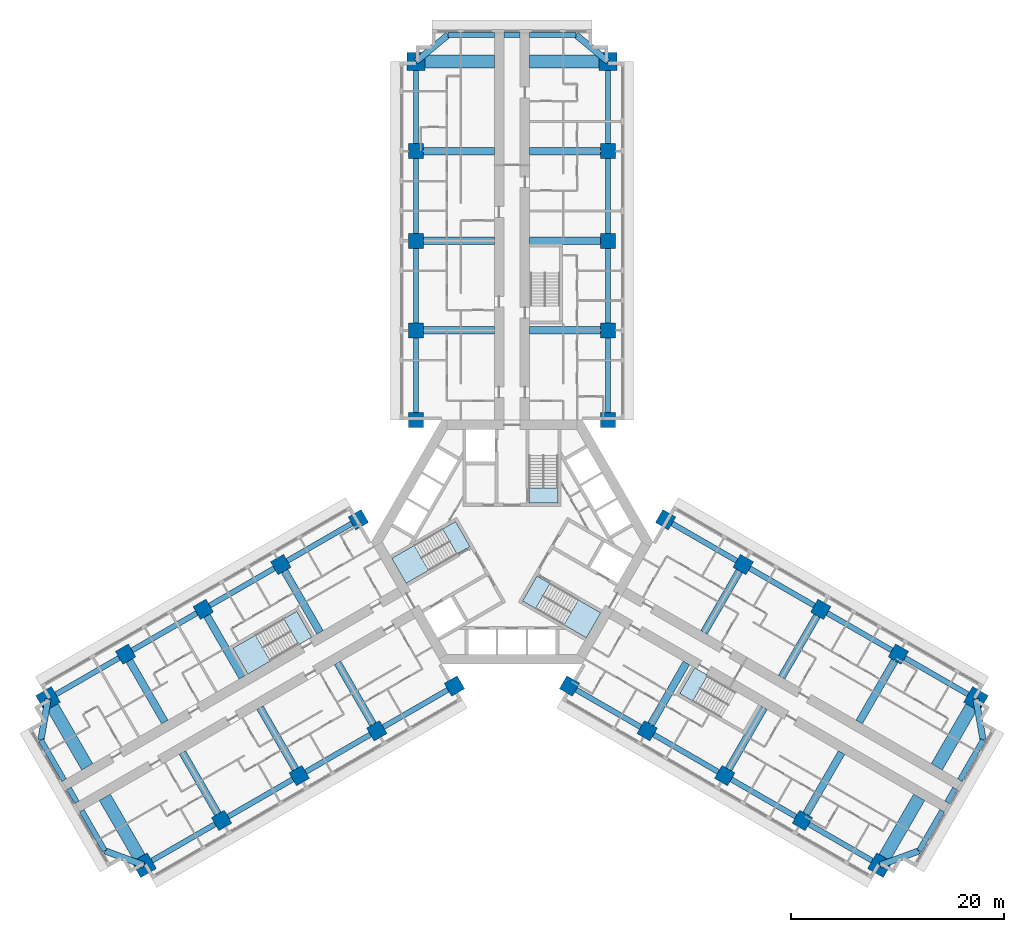
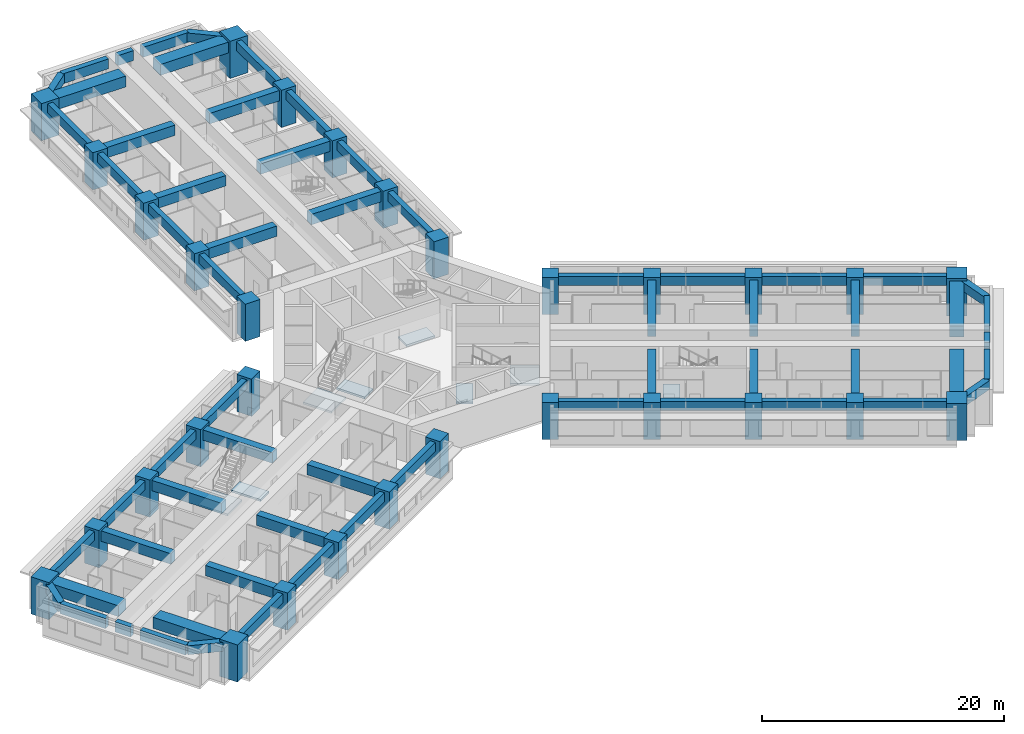
# One storey, part 1 of 15: 63 beams, 30 columns, 8 slabs, 5 elements without a shape of their own.
"""IFC4 building model written with IfcOpenShell, lengths in metres."""

import ifcopenshell
import ifcopenshell.guid

model = None  # the IFC model being written
_history = None  # IfcOwnerHistory: only IFC2X3 demands one
_inside = {}  # id of a spatial element -> (the spatial element, [elements in it])
_under = {}  # id of a project, library or spatial element -> (it, [spatial elements below it])
_declared = {}  # id of a project -> (the project, [libraries it declares])
_typed = {}  # id of a type object -> (the type object, [elements of that type])
_made_of = {}  # id of a material, layer set ... -> (it, [elements and type objects made of it])


def new_model(schema):
    """Start an empty IFC model of exactly this schema.

    Asked for "IFC4X3", IfcOpenShell would pick the latest addendum, in which some entities
    have other attributes; the version numbers below select the first issue.
    IFC2X3 requires an IfcOwnerHistory on every rooted entity: one is made here for all.
    """
    global model, _history
    if schema == "IFC4X3":
        model = ifcopenshell.file(schema_version=(4, 3, 0, 0))
    else:
        model = ifcopenshell.file(schema=schema)
    _inside.clear()
    _under.clear()
    _declared.clear()
    _typed.clear()
    _made_of.clear()
    _history = None
    if model.schema == "IFC2X3":
        org = make("IfcOrganization", Name="unknown")
        user = make(
            "IfcPersonAndOrganization",
            ThePerson=make("IfcPerson", FamilyName="unknown"),
            TheOrganization=org,
        )
        app = make(
            "IfcApplication",
            ApplicationDeveloper=org,
            Version="unknown",
            ApplicationFullName="unknown",
            ApplicationIdentifier="unknown",
        )
        _history = make(
            "IfcOwnerHistory",
            OwningUser=user,
            OwningApplication=app,
            ChangeAction="ADDED",
            CreationDate=0,
        )
    return model


def make(cls, **values):
    """One entity of the class cls with the attributes given. An attribute that is None is left unset."""
    return model.create_entity(
        cls, **{name: value for name, value in values.items() if value is not None}
    )


def rooted(cls, **values):
    """An entity with a GlobalId (a new one), such as an element, a storey or a relation."""
    return make(cls, GlobalId=ifcopenshell.guid.new(), OwnerHistory=_history, **values)


def si_unit(unit_type, name, prefix=None):
    """IfcSIUnit, for example si_unit("LENGTHUNIT", "METRE", prefix="MILLI")."""
    return make("IfcSIUnit", UnitType=unit_type, Prefix=prefix, Name=name)


def assignment(units):
    """IfcUnitAssignment: the units of a project."""
    return None if units is None else make("IfcUnitAssignment", Units=units)


def point(xyz):
    """IfcCartesianPoint."""
    return None if xyz is None else make("IfcCartesianPoint", Coordinates=xyz)


def direction(xyz):
    """IfcDirection."""
    return None if xyz is None else make("IfcDirection", DirectionRatios=xyz)


def frame(location, z_axis=None, x_axis=None):
    """IfcAxis2Placement3D, a coordinate frame: its origin and axes. An axis left out is left unset."""
    return make(
        "IfcAxis2Placement3D",
        Location=point(location),
        Axis=direction(z_axis),
        RefDirection=direction(x_axis),
    )


def frame_2d(location, x_axis=None):
    """IfcAxis2Placement2D, a coordinate frame in the plane: its origin and x axis."""
    return make(
        "IfcAxis2Placement2D", Location=point(location), RefDirection=direction(x_axis)
    )


def origin():
    """The frame at (0, 0, 0) with its axes left unset."""
    return frame((0.0, 0.0, 0.0))


def origin_2d():
    """The frame at (0, 0) in the plane with its x axis left unset."""
    return frame_2d((0.0, 0.0))


def place(relative_to, where):
    """IfcLocalPlacement: puts the frame where relative to a parent placement (None: the world)."""
    return make(
        "IfcLocalPlacement", PlacementRelTo=relative_to, RelativePlacement=where
    )


def context(
    kind, dimensions, precision=None, world=None, true_north=None, identifier=None
):
    """IfcGeometricRepresentationContext, for example the 3D "Model" context."""
    return make(
        "IfcGeometricRepresentationContext",
        ContextIdentifier=identifier,
        ContextType=kind,
        CoordinateSpaceDimension=dimensions,
        Precision=precision,
        WorldCoordinateSystem=world,
        TrueNorth=true_north,
    )


def subcontext(parent, identifier, kind, view, scale=None):
    """IfcGeometricRepresentationSubContext, for example "Body" below "Model"."""
    return make(
        "IfcGeometricRepresentationSubContext",
        ContextIdentifier=identifier,
        ContextType=kind,
        ParentContext=parent,
        TargetScale=scale,
        TargetView=view,
    )


def project(units=None, contexts=None):
    """IfcProject with its units and contexts."""
    return rooted(
        "IfcProject",
        Name="project",
        RepresentationContexts=contexts,
        UnitsInContext=assignment(units),
    )


def spatial(cls, under=None, at=None, **own):
    """A site, building, storey or space (cls), placed at a placement, below another one or the project."""
    s = rooted(cls, ObjectPlacement=at, **own)
    if under is not None:
        _under.setdefault(under.id(), (under, []))[1].append(s)
    return s


def polyline(points):
    """IfcPolyline through the points."""
    return make("IfcPolyline", Points=[point(p) for p in points])


def profile(cls, at=None, kind="AREA", **sizes):
    """A parametric profile (cls). Its sizes go by their IFC names, for example OverallWidth=200.0."""
    return make(cls, ProfileType=kind, Position=at, **sizes)


def rectangle(**sizes):
    """IfcRectangleProfileDef."""
    return profile("IfcRectangleProfileDef", **sizes)


def outline(outer, holes=None, kind="AREA"):
    """IfcArbitraryClosedProfileDef: a profile drawn as a closed curve; with holes, ...WithVoids."""
    if holes is None:
        return make("IfcArbitraryClosedProfileDef", ProfileType=kind, OuterCurve=outer)
    return make(
        "IfcArbitraryProfileDefWithVoids",
        ProfileType=kind,
        OuterCurve=outer,
        InnerCurves=holes,
    )


def extrude(swept, where, along, depth):
    """IfcExtrudedAreaSolid: the profile swept, set in the frame where, extruded along a direction by depth."""
    return make(
        "IfcExtrudedAreaSolid",
        SweptArea=swept,
        Position=where,
        ExtrudedDirection=direction(along),
        Depth=depth,
    )


def shape(context_of_items, identifier, shape_type, items):
    """IfcShapeRepresentation: the items that make up one representation, for example the "Body"."""
    return make(
        "IfcShapeRepresentation",
        ContextOfItems=context_of_items,
        RepresentationIdentifier=identifier,
        RepresentationType=shape_type,
        Items=items,
    )


def material(Name=None, Category=None):
    """IfcMaterial."""
    return make("IfcMaterial", Name=Name, Category=Category)


def layer(
    of_material, thickness, ventilated=None, Name=None, Category=None, Priority=None
):
    """IfcMaterialLayer: one layer of a wall or slab, of a material (None: an air gap)."""
    return make(
        "IfcMaterialLayer",
        Material=of_material,
        LayerThickness=thickness,
        IsVentilated=ventilated,
        Name=Name,
        Category=Category,
        Priority=Priority,
    )


def layer_set(layers, Name=None):
    """IfcMaterialLayerSet."""
    return make("IfcMaterialLayerSet", MaterialLayers=layers, LayerSetName=Name)


def material_profile(
    of_material, cross_section, Name=None, Category=None, Priority=None
):
    """IfcMaterialProfile: a cross section and its material."""
    return make(
        "IfcMaterialProfile",
        Name=Name,
        Material=of_material,
        Profile=cross_section,
        Priority=Priority,
        Category=Category,
    )


def profile_set(profiles, Name=None, composite=None):
    """IfcMaterialProfileSet."""
    return make(
        "IfcMaterialProfileSet",
        Name=Name,
        MaterialProfiles=profiles,
        CompositeProfile=composite,
    )


def made_of(thing, what):
    """Note that an element or type object is made of a material, layer set ...; save() writes the relation."""
    if what is not None:
        _made_of.setdefault(what.id(), (what, []))[1].append(thing)
    return thing


def type_object(cls, material=None, **own):
    """A type object (cls), such as IfcWallType, which elements share."""
    return made_of(rooted(cls, **own), material)


def element(
    cls,
    number,
    at=None,
    inside=None,
    cuts=None,
    type_object=None,
    material=None,
    context=None,
    identifier="Body",
    shape_type=None,
    held_by="IfcProductDefinitionShape",
    body=None,
    shapes=None,
    **own,
):
    """One element of the class cls, such as IfcWall. Its Tag is "e" and its number.

    at: its placement. inside: the storey or other place that contains it. cuts: it is an
    opening in that element (IfcRelVoidsElement). A single representation is given by context,
    identifier, shape_type and body (its items); several are given by shapes. held_by: the class
    of the entity that holds the representations. save() writes the other relations.
    """
    e = rooted(cls, Tag="e%d" % number, ObjectPlacement=at, **own)
    if body is not None:
        shapes = [shape(context, identifier, shape_type, body)]
    if shapes is not None:
        e.Representation = make(held_by, Representations=shapes)
    if inside is not None:
        _inside.setdefault(inside.id(), (inside, []))[1].append(e)
    if cuts is not None:
        rooted(
            "IfcRelVoidsElement", RelatingBuildingElement=cuts, RelatedOpeningElement=e
        )
    if type_object is not None:
        _typed.setdefault(type_object.id(), (type_object, []))[1].append(e)
    return made_of(e, material)


def aggregate(whole, parts):
    """IfcRelAggregates: a whole, such as a stair, and the parts it consists of."""
    return rooted("IfcRelAggregates", RelatingObject=whole, RelatedObjects=parts)


def save(model, path):
    """Write the relations noted so far, then the file.

    IfcRelAggregates (storeys below a building ...), IfcRelContainedInSpatialStructure (elements
    in a storey), IfcRelDefinesByType, IfcRelAssociatesMaterial and IfcRelDeclares: one each for
    every whole, place, type object, material and project.
    """
    for whole, parts in _under.values():
        aggregate(whole, parts)
    for where, things in _inside.values():
        rooted(
            "IfcRelContainedInSpatialStructure",
            RelatedElements=things,
            RelatingStructure=where,
        )
    for kind, things in _typed.values():
        rooted("IfcRelDefinesByType", RelatedObjects=things, RelatingType=kind)
    for what, things in _made_of.values():
        rooted("IfcRelAssociatesMaterial", RelatedObjects=things, RelatingMaterial=what)
    for by, libraries in _declared.values():
        rooted("IfcRelDeclares", RelatingContext=by, RelatedDefinitions=libraries)
    model.write(path)


model = new_model("IFC4")

# Units and contexts
model_context = context("Model", 3, precision=1e-05, world=origin(), true_north=direction((0.0, 1.0)))
body_context = subcontext(model_context, "Body", "Model", "MODEL_VIEW")
ifc_project = project(units=[si_unit("LENGTHUNIT", "METRE"), si_unit("AREAUNIT", "SQUARE_METRE"), si_unit("VOLUMEUNIT", "CUBIC_METRE"), si_unit("PLANEANGLEUNIT", "RADIAN"), si_unit("MASSUNIT", "GRAM", prefix="KILO")], contexts=[model_context])

# Site, building, storey
site_placement = place(None, origin())
site = spatial("IfcSite", under=ifc_project, at=site_placement, CompositionType="ELEMENT")
building_placement = place(site_placement, origin())
building = spatial("IfcBuilding", under=site, at=building_placement, Name="Impinga Residences", CompositionType="ELEMENT")
storey_placement = place(building_placement, frame((0.0, 0.0, 86.0)))
storey = spatial("IfcBuildingStorey", under=building, at=storey_placement, Name="L21", CompositionType="ELEMENT", Elevation=86.0)

# Columns
ifc_material_1 = material(Name="Concrete C70/85", Category="concrete")
ifc_material_profile_1 = material_profile(ifc_material_1, rectangle(XDim=1.699951171875, YDim=1.699951171875, at=origin_2d()), Name="RC 1700x1700")
ifc_profile_set_1 = profile_set([ifc_material_profile_1], Name="Concrete C70/85")
column_type_1 = type_object("IfcColumnType", Name="C10 1700x1700 column", PredefinedType="COLUMN", material=ifc_profile_set_1)
for number, where, z_axis, x_axis, name in (
    (1, (-9.0, 45.031494140625, 0.0), (0.0, 0.0, 1.0), (1.0, 0.0, 0.0), "Column C10 N5/NA L21"),
    (2, (9.0, 45.031494140625, 0.0), (0.0, 0.0, 1.0), (1.0, 0.0, 0.0), "Column C10 N5/NF L21"),
    (3, (-34.49853515625, -30.31005859375, 0.0), (0.0, 0.0, 1.0), (-0.5, 0.866025403784, 0.0), "Column C10 W5/WA L21"),
    (4, (-43.49853515625, -14.721435546875, 0.0), (0.0, 0.0, 1.0), (-0.5, 0.866025403784, 0.0), "Column C10 W5/WF L21"),
    (5, (43.49853515625, -14.721435546875, 0.0), (0.0, 0.0, 1.0), (-0.5, -0.866025403784, 0.0), "Column C10 E5/EA L21"),
    (6, (34.49853515625, -30.31005859375, 0.0), (0.0, 0.0, 1.0), (-0.5, -0.866025403784, 0.0), "Column C10 E5/EF L21"),
):
    element("IfcColumn", number, at=place(storey_placement, frame(where, z_axis=z_axis, x_axis=x_axis)), inside=storey, type_object=column_type_1, Name=name, PredefinedType="COLUMN", context=body_context, shape_type="SweptSolid", body=[
        extrude(rectangle(XDim=1.699951171875, YDim=1.699951171875, at=origin_2d()), origin(), (0.0, 0.0, 1.0), 3.75),
    ])
ifc_material_profile_2 = material_profile(ifc_material_1, rectangle(XDim=1.39990234375, YDim=1.39990234375, at=origin_2d()), Name="RC 1400x1400")
ifc_profile_set_2 = profile_set([ifc_material_profile_2], Name="Concrete C70/85")
column_type_2 = type_object("IfcColumnType", Name="C2 1400x1400 column", PredefinedType="COLUMN", material=ifc_profile_set_2)
for number, where, z_axis, x_axis, name in (
    (7, (-9.0, 11.431640625, 0.0), (0.0, 0.0, 1.0), (1.0, 0.0, 0.0), "Column C2 N1/NA L21"),
    (8, (9.0, 11.431640625, 0.0), (0.0, 0.0, 1.0), (1.0, 0.0, 0.0), "Column C2 N1/NF L21"),
    (9, (-9.0, 19.83154296875, 0.0), (0.0, 0.0, 1.0), (1.0, 0.0, 0.0), "Column C2 N2/NA L21"),
    (10, (9.0, 19.83154296875, 0.0), (0.0, 0.0, 1.0), (1.0, 0.0, 0.0), "Column C2 N2/NF L21"),
    (11, (-9.0, 28.2314453125, 0.0), (0.0, 0.0, 1.0), (1.0, 0.0, 0.0), "Column C2 N3/NA L21"),
    (12, (9.0, 28.2314453125, 0.0), (0.0, 0.0, 1.0), (1.0, 0.0, 0.0), "Column C2 N3/NF L21"),
    (13, (-9.0, 36.631591796875, 0.0), (0.0, 0.0, 1.0), (1.0, 0.0, 0.0), "Column C2 N4/NA L21"),
    (14, (9.0, 36.631591796875, 0.0), (0.0, 0.0, 1.0), (1.0, 0.0, 0.0), "Column C2 N4/NF L21"),
    (15, (-5.39990234375, -13.510009765625, 0.0), (0.0, 0.0, 1.0), (-0.5, 0.866025403784, 0.0), "Column C2 W1/WA L21"),
    (16, (-14.39990234375, 2.078369140625, 0.0), (0.0, 0.0, 1.0), (-0.5, 0.866025403784, 0.0), "Column C2 W1/WF L21"),
    (17, (-12.674560546875, -17.7099609375, 0.0), (0.0, 0.0, 1.0), (-0.5, 0.866025403784, 0.0), "Column C2 W2/WA L21"),
    (18, (-21.674560546875, -2.12158203125, 0.0), (0.0, 0.0, 1.0), (-0.5, 0.866025403784, 0.0), "Column C2 W2/WF L21"),
    (19, (-19.94921875, -21.909912109375, 0.0), (0.0, 0.0, 1.0), (-0.5, 0.866025403784, 0.0), "Column C2 W3/WA L21"),
    (20, (-28.94921875, -6.321533203125, 0.0), (0.0, 0.0, 1.0), (-0.5, 0.866025403784, 0.0), "Column C2 W3/WF L21"),
    (21, (-27.223876953125, -26.110107421875, 0.0), (0.0, 0.0, 1.0), (-0.5, 0.866025403784, 0.0), "Column C2 W4/WA L21"),
    (22, (-36.223876953125, -10.521484375, 0.0), (0.0, 0.0, 1.0), (-0.5, 0.866025403784, 0.0), "Column C2 W4/WF L21"),
    (23, (14.39990234375, 2.078369140625, 0.0), (0.0, 0.0, 1.0), (-0.5, -0.866025403784, 0.0), "Column C2 E1/EA L21"),
    (24, (5.39990234375, -13.510009765625, 0.0), (0.0, 0.0, 1.0), (-0.5, -0.866025403784, 0.0), "Column C2 E1/EF L21"),
    (25, (21.674560546875, -2.12158203125, 0.0), (0.0, 0.0, 1.0), (-0.5, -0.866025403784, 0.0), "Column C2 E2/EA L21"),
    (26, (12.674560546875, -17.7099609375, 0.0), (0.0, 0.0, 1.0), (-0.5, -0.866025403784, 0.0), "Column C2 E2/EF L21"),
    (27, (28.94921875, -6.321533203125, 0.0), (0.0, 0.0, 1.0), (-0.5, -0.866025403784, 0.0), "Column C2 E3/EA L21"),
    (28, (19.94921875, -21.909912109375, 0.0), (0.0, 0.0, 1.0), (-0.5, -0.866025403784, 0.0), "Column C2 E3/EF L21"),
    (29, (36.223876953125, -10.521484375, 0.0), (0.0, 0.0, 1.0), (-0.5, -0.866025403784, 0.0), "Column C2 E4/EA L21"),
    (30, (27.223876953125, -26.110107421875, 0.0), (0.0, 0.0, 1.0), (-0.5, -0.866025403784, 0.0), "Column C2 E4/EF L21"),
):
    element("IfcColumn", number, at=place(storey_placement, frame(where, z_axis=z_axis, x_axis=x_axis)), inside=storey, type_object=column_type_2, Name=name, PredefinedType="COLUMN", context=body_context, shape_type="SweptSolid", body=[
        extrude(rectangle(XDim=1.39990234375, YDim=1.39990234375, at=origin_2d()), origin(), (0.0, 0.0, 1.0), 3.75),
    ])

# Beams
ifc_material_2 = material(Name="Concrete C60/75", Category="concrete")
ifc_material_profile_3 = material_profile(ifc_material_2, rectangle(XDim=0.60009765625, YDim=0.89990234375, at=origin_2d()), Name="RC 600x900")
ifc_profile_set_3 = profile_set([ifc_material_profile_3], Name="Concrete C60/75")
beam_type_1 = type_object("IfcBeamType", Name="CB3 600x900 wing end cantilever beam under and at the L23 outrigger storey", PredefinedType="BEAM", material=ifc_profile_set_3)
for number, where, z_axis, x_axis, name in (
    (31, (-9.0, 45.031494140625, 3.080078125), (0.768221279597, 0.640184399664, 0.0), (-0.640184399664, 0.768221279597, 0.0), "Beam CB3 NB N5-NX level L22"),
    (32, (9.0, 45.031494140625, 3.080078125), (-0.768221279597, 0.640184399664, 0.0), (-0.640184399664, -0.768221279597, 0.0), "Beam CB3 NE N5-NX level L22"),
    (33, (-34.49853515625, -30.31005859375, 3.080078125), (-0.938520178725, 0.345224382289, 0.0), (-0.345224382289, -0.938520178725, 0.0), "Beam CB3 WB W5-WX level L22"),
):
    element("IfcBeam", number, at=place(storey_placement, frame(where, z_axis=z_axis, x_axis=x_axis)), inside=storey, type_object=beam_type_1, Name=name, PredefinedType="BEAM", context=body_context, shape_type="SweptSolid", body=[
        extrude(rectangle(XDim=0.60009765625, YDim=0.89990234375, at=origin_2d()), origin(), (0.0, 0.0, 1.0), 3.905029296875),
    ])
for number, where, z_axis, x_axis, name in (
    (34, (-43.49853515625, -14.721435546875, 3.080078125), (-0.170296298948, -0.985392901621, 0.0), (0.985392901621, -0.170296298948, 0.0), "Beam CB3 WE W5-WX level L22"),
    (35, (43.49853515625, -14.721435546875, 3.080078125), (0.170296298948, -0.985392901621, 0.0), (0.985392901621, 0.170296298948, 0.0), "Beam CB3 EB E5-EX level L22"),
):
    element("IfcBeam", number, at=place(storey_placement, frame(where, z_axis=z_axis, x_axis=x_axis)), inside=storey, type_object=beam_type_1, Name=name, PredefinedType="BEAM", context=body_context, shape_type="SweptSolid", body=[
        extrude(rectangle(XDim=0.60009765625, YDim=0.89990234375, at=origin_2d()), origin(), (0.0, 0.0, 1.0), 3.9052734375),
    ])
beam_1_placement = place(storey_placement, frame((34.49853515625, -30.31005859375, 3.080078125), z_axis=(0.938520178725, 0.345224382289, 0.0), x_axis=(-0.345224382289, 0.938520178725, 0.0)))
element("IfcBeam", 36, at=beam_1_placement, inside=storey, type_object=beam_type_1, Name="Beam CB3 EE E5-EX level L22", PredefinedType="BEAM", context=body_context, shape_type="SweptSolid", body=[
    extrude(rectangle(XDim=0.60009765625, YDim=0.89990234375, at=origin_2d()), origin(), (0.0, 0.0, 1.0), 3.905029296875),
])
ifc_material_profile_4 = material_profile(ifc_material_2, rectangle(XDim=0.699951171875, YDim=1.050048828125, at=origin_2d()), Name="RC 700x1050")
ifc_profile_set_4 = profile_set([ifc_material_profile_4], Name="Concrete C60/75")
beam_type_2 = type_object("IfcBeamType", Name="CG1 700x1050 cross girder on a wing bay line", PredefinedType="BEAM", material=ifc_profile_set_4)
for number, where, z_axis, x_axis, name in (
    (37, (-1.64990234375, 19.83154296875, 3.0048828125), (-1.0, 0.0, 0.0), (0.0, -1.0, 0.0), "Beam CG1 N2 NC/NA level L22"),
    (38, (-1.64990234375, 28.2314453125, 3.0048828125), (-1.0, 0.0, 0.0), (0.0, -1.0, 0.0), "Beam CG1 N3 NC/NA level L22"),
    (39, (-1.64990234375, 36.631591796875, 3.0048828125), (-1.0, 0.0, 0.0), (0.0, -1.0, 0.0), "Beam CG1 N4 NC/NA level L22"),
    (40, (1.64990234375, 19.83154296875, 3.0048828125), (1.0, 0.0, 0.0), (0.0, 1.0, 0.0), "Beam CG1 N2 NC/NF level L22"),
    (41, (1.64990234375, 28.2314453125, 3.0048828125), (1.0, 0.0, 0.0), (0.0, 1.0, 0.0), "Beam CG1 N3 NC/NF level L22"),
    (42, (1.64990234375, 36.631591796875, 3.0048828125), (1.0, 0.0, 0.0), (0.0, 1.0, 0.0), "Beam CG1 N4 NC/NF level L22"),
    (43, (-16.349609375, -11.3447265625, 3.0048828125), (0.500008066151, -0.86602074674, 0.0), (0.86602074674, 0.500008066151, 0.0), "Beam CG1 W2 WC/WA level L22"),
    (44, (-23.624267578125, -15.544677734375, 3.0048828125), (0.500008066151, -0.86602074674, 0.0), (0.86602074674, 0.500008066151, 0.0), "Beam CG1 W3 WC/WA level L22"),
    (45, (-30.89892578125, -19.74462890625, 3.0048828125), (0.499993683172, -0.866029050776, 0.0), (0.866029050776, 0.499993683172, 0.0), "Beam CG1 W4 WC/WA level L22"),
    (46, (-17.99951171875, -8.48681640625, 3.0048828125), (-0.500008066151, 0.86602074674, 0.0), (-0.86602074674, -0.500008066151, 0.0), "Beam CG1 W2 WC/WF level L22"),
    (47, (-25.274169921875, -12.686767578125, 3.0048828125), (-0.500008066151, 0.86602074674, 0.0), (-0.86602074674, -0.500008066151, 0.0), "Beam CG1 W3 WC/WF level L22"),
    (48, (-32.548828125, -16.88671875, 3.0048828125), (-0.500008066151, 0.86602074674, 0.0), (-0.86602074674, -0.500008066151, 0.0), "Beam CG1 W4 WC/WF level L22"),
    (49, (17.99951171875, -8.48681640625, 3.0048828125), (0.500008066151, 0.86602074674, 0.0), (-0.86602074674, 0.500008066151, 0.0), "Beam CG1 E2 EC/EA level L22"),
    (50, (25.274169921875, -12.686767578125, 3.0048828125), (0.500008066151, 0.86602074674, 0.0), (-0.86602074674, 0.500008066151, 0.0), "Beam CG1 E3 EC/EA level L22"),
    (51, (32.548828125, -16.88671875, 3.0048828125), (0.500008066151, 0.86602074674, 0.0), (-0.86602074674, 0.500008066151, 0.0), "Beam CG1 E4 EC/EA level L22"),
    (52, (16.349609375, -11.3447265625, 3.0048828125), (-0.500008066151, -0.86602074674, 0.0), (0.86602074674, -0.500008066151, 0.0), "Beam CG1 E2 EC/EF level L22"),
    (53, (23.624267578125, -15.544677734375, 3.0048828125), (-0.500008066151, -0.86602074674, 0.0), (0.86602074674, -0.500008066151, 0.0), "Beam CG1 E3 EC/EF level L22"),
    (54, (30.89892578125, -19.74462890625, 3.0048828125), (-0.499993683172, -0.866029050776, 0.0), (0.866029050776, -0.499993683172, 0.0), "Beam CG1 E4 EC/EF level L22"),
):
    element("IfcBeam", number, at=place(storey_placement, frame(where, z_axis=z_axis, x_axis=x_axis)), inside=storey, type_object=beam_type_2, Name=name, PredefinedType="BEAM", context=body_context, shape_type="SweptSolid", body=[
        extrude(rectangle(XDim=0.699951171875, YDim=1.050048828125, at=origin_2d()), origin(), (0.0, 0.0, 1.0), 7.35009765625),
    ])
ifc_material_profile_5 = material_profile(ifc_material_2, rectangle(XDim=1.199951171875, YDim=1.10009765625, at=origin_2d()), Name="RC 1200x1100")
ifc_profile_set_5 = profile_set([ifc_material_profile_5], Name="Concrete C60/75")
beam_type_3 = type_object("IfcBeamType", Name="CG5 1200x1100 cross girder on the wing tip bay line under the L23 outrigger storey", PredefinedType="BEAM", material=ifc_profile_set_5)
for number, where, z_axis, x_axis, name in (
    (55, (-1.64990234375, 45.031494140625, 2.97998046875), (-1.0, 0.0, 0.0), (0.0, -1.0, 0.0), "Beam CG5 N5 NC/NA level L22"),
    (56, (1.64990234375, 45.031494140625, 2.97998046875), (1.0, 0.0, 0.0), (0.0, 1.0, 0.0), "Beam CG5 N5 NC/NF level L22"),
):
    element("IfcBeam", number, at=place(storey_placement, frame(where, z_axis=z_axis, x_axis=x_axis)), inside=storey, type_object=beam_type_3, Name=name, PredefinedType="BEAM", context=body_context, shape_type="SweptSolid", body=[
        extrude(rectangle(XDim=1.199951171875, YDim=1.10009765625, at=origin_2d()), origin(), (0.0, 0.0, 1.0), 7.35009765625),
    ])
beam_2_placement = place(storey_placement, frame((-38.17333984375, -23.94482421875, 2.97998046875), z_axis=(0.499983153418, -0.866035129944, 0.0), x_axis=(0.866035129944, 0.499983153418, 0.0)))
element("IfcBeam", 57, at=beam_2_placement, inside=storey, type_object=beam_type_3, Name="Beam CG5 W5 WC/WA level L22", PredefinedType="BEAM", context=body_context, shape_type="SweptSolid", body=[
    extrude(rectangle(XDim=1.199951171875, YDim=1.10009765625, at=origin_2d()), origin(), (0.0, 0.0, 1.0), 7.349853515625),
])
for number, where, z_axis, x_axis, name in (
    (58, (-39.823486328125, -21.0869140625, 2.97998046875), (-0.499993683172, 0.866029050776, 0.0), (-0.866029050776, -0.499993683172, 0.0), "Beam CG5 W5 WC/WF level L22"),
    (59, (39.823486328125, -21.0869140625, 2.97998046875), (0.499993683172, 0.866029050776, 0.0), (-0.866029050776, 0.499993683172, 0.0), "Beam CG5 E5 EC/EA level L22"),
):
    element("IfcBeam", number, at=place(storey_placement, frame(where, z_axis=z_axis, x_axis=x_axis)), inside=storey, type_object=beam_type_3, Name=name, PredefinedType="BEAM", context=body_context, shape_type="SweptSolid", body=[
        extrude(rectangle(XDim=1.199951171875, YDim=1.10009765625, at=origin_2d()), origin(), (0.0, 0.0, 1.0), 7.35009765625),
    ])
beam_3_placement = place(storey_placement, frame((38.17333984375, -23.94482421875, 2.97998046875), z_axis=(-0.499983153418, -0.866035129944, 0.0), x_axis=(0.866035129944, -0.499983153418, 0.0)))
element("IfcBeam", 60, at=beam_3_placement, inside=storey, type_object=beam_type_3, Name="Beam CG5 E5 EC/EF level L22", PredefinedType="BEAM", context=body_context, shape_type="SweptSolid", body=[
    extrude(rectangle(XDim=1.199951171875, YDim=1.10009765625, at=origin_2d()), origin(), (0.0, 0.0, 1.0), 7.349853515625),
])
ifc_material_profile_6 = material_profile(ifc_material_2, rectangle(XDim=0.5, YDim=1.0, at=origin_2d()), Name="RC 500x1000")
ifc_profile_set_6 = profile_set([ifc_material_profile_6], Name="Concrete C60/75")
beam_type_4 = type_object("IfcBeamType", Name="EB1 500x1000 wing end beam", PredefinedType="BEAM", material=ifc_profile_set_6)
beam_4_placement = place(storey_placement, frame((-6.0, 47.531494140625, 3.030029296875), z_axis=(1.0, 0.0, 0.0), x_axis=(0.0, 1.0, 0.0)))
element("IfcBeam", 61, at=beam_4_placement, inside=storey, type_object=beam_type_4, Name="Beam EB1 NX4 level L22", PredefinedType="BEAM", context=body_context, shape_type="SweptSolid", body=[
    extrude(rectangle(XDim=0.5, YDim=1.0, at=origin_2d()), origin(), (0.0, 0.0, 1.0), 4.35009765625),
])
beam_5_placement = place(storey_placement, frame((-0.75, 47.531494140625, 3.030029296875), z_axis=(1.0, 0.0, 0.0), x_axis=(0.0, 1.0, 0.0)))
element("IfcBeam", 62, at=beam_5_placement, inside=storey, type_object=beam_type_4, Name="Beam EB1 NX4 level L22", PredefinedType="BEAM", context=body_context, shape_type="SweptSolid", body=[
    extrude(rectangle(XDim=0.5, YDim=1.0, at=origin_2d()), origin(), (0.0, 0.0, 1.0), 1.5),
])
beam_6_placement = place(storey_placement, frame((1.64990234375, 47.531494140625, 3.030029296875), z_axis=(1.0, 0.0, 0.0), x_axis=(0.0, 1.0, 0.0)))
element("IfcBeam", 63, at=beam_6_placement, inside=storey, type_object=beam_type_4, Name="Beam EB1 NX4 level L22", PredefinedType="BEAM", context=body_context, shape_type="SweptSolid", body=[
    extrude(rectangle(XDim=0.5, YDim=1.0, at=origin_2d()), origin(), (0.0, 0.0, 1.0), 4.35009765625),
])
beam_7_placement = place(storey_placement, frame((-38.16357421875, -28.9619140625, 3.030029296875), z_axis=(-0.500020430026, 0.866013608182, 0.0), x_axis=(-0.866013608182, -0.500020430026, 0.0)))
element("IfcBeam", 64, at=beam_7_placement, inside=storey, type_object=beam_type_4, Name="Beam EB1 WX4 level L22", PredefinedType="BEAM", context=body_context, shape_type="SweptSolid", body=[
    extrude(rectangle(XDim=0.5, YDim=1.0, at=origin_2d()), origin(), (0.0, 0.0, 1.0), 4.349853515625),
])
beam_8_placement = place(storey_placement, frame((-40.78857421875, -24.415283203125, 3.030029296875), z_axis=(-0.499990139034, 0.866031096941, 0.0), x_axis=(-0.866031096941, -0.499990139034, 0.0)))
element("IfcBeam", 65, at=beam_8_placement, inside=storey, type_object=beam_type_4, Name="Beam EB1 WX4 level L22", PredefinedType="BEAM", context=body_context, shape_type="SweptSolid", body=[
    extrude(rectangle(XDim=0.5, YDim=1.0, at=origin_2d()), origin(), (0.0, 0.0, 1.0), 1.5),
])
for number, where, z_axis, x_axis, name in (
    (66, (-41.988525390625, -22.3369140625, 3.030029296875), (-0.499996127374, 0.866027639635, 0.0), (-0.866027639635, -0.499996127374, 0.0), "Beam EB1 WX4 level L22"),
    (67, (44.16357421875, -18.569580078125, 3.030029296875), (-0.499996127374, -0.866027639635, 0.0), (0.866027639635, -0.499996127374, 0.0), "Beam EB1 EX4 level L22"),
):
    element("IfcBeam", number, at=place(storey_placement, frame(where, z_axis=z_axis, x_axis=x_axis)), inside=storey, type_object=beam_type_4, Name=name, PredefinedType="BEAM", context=body_context, shape_type="SweptSolid", body=[
        extrude(rectangle(XDim=0.5, YDim=1.0, at=origin_2d()), origin(), (0.0, 0.0, 1.0), 4.35009765625),
    ])
beam_9_placement = place(storey_placement, frame((41.53857421875, -23.1162109375, 3.030029296875), z_axis=(-0.499990139034, -0.866031096941, 0.0), x_axis=(0.866031096941, -0.499990139034, 0.0)))
element("IfcBeam", 68, at=beam_9_placement, inside=storey, type_object=beam_type_4, Name="Beam EB1 EX4 level L22", PredefinedType="BEAM", context=body_context, shape_type="SweptSolid", body=[
    extrude(rectangle(XDim=0.5, YDim=1.0, at=origin_2d()), origin(), (0.0, 0.0, 1.0), 1.5),
])
beam_10_placement = place(storey_placement, frame((40.338623046875, -25.19482421875, 3.030029296875), z_axis=(-0.500020430026, -0.866013608182, 0.0), x_axis=(0.866013608182, -0.500020430026, 0.0)))
element("IfcBeam", 69, at=beam_10_placement, inside=storey, type_object=beam_type_4, Name="Beam EB1 EX4 level L22", PredefinedType="BEAM", context=body_context, shape_type="SweptSolid", body=[
    extrude(rectangle(XDim=0.5, YDim=1.0, at=origin_2d()), origin(), (0.0, 0.0, 1.0), 4.349853515625),
])
ifc_material_profile_7 = material_profile(ifc_material_2, rectangle(XDim=0.5, YDim=0.89990234375, at=origin_2d()), Name="RC 500x900")
ifc_profile_set_7 = profile_set([ifc_material_profile_7], Name="Concrete C60/75")
beam_type_5 = type_object("IfcBeamType", Name="SB1 500x900 perimeter spandrel beam", PredefinedType="SPANDREL", material=ifc_profile_set_7)
for number, where, z_axis, x_axis, name in (
    (70, (-9.0, 11.431640625, 3.080078125), (0.0, 1.0, 0.0), (-1.0, 0.0, 0.0), "Beam SB1 NA N1-N2 level L22"),
    (71, (-9.0, 19.83154296875, 3.080078125), (0.0, 1.0, 0.0), (-1.0, 0.0, 0.0), "Beam SB1 NA N2-N3 level L22"),
):
    element("IfcBeam", number, at=place(storey_placement, frame(where, z_axis=z_axis, x_axis=x_axis)), inside=storey, type_object=beam_type_5, Name=name, PredefinedType="SPANDREL", context=body_context, shape_type="SweptSolid", body=[
        extrude(rectangle(XDim=0.5, YDim=0.89990234375, at=origin_2d()), origin(), (0.0, 0.0, 1.0), 8.39990234375),
    ])
beam_11_placement = place(storey_placement, frame((-9.0, 28.2314453125, 3.080078125), z_axis=(0.0, 1.0, 0.0), x_axis=(-1.0, 0.0, 0.0)))
element("IfcBeam", 72, at=beam_11_placement, inside=storey, type_object=beam_type_5, Name="Beam SB1 NA N3-N4 level L22", PredefinedType="SPANDREL", context=body_context, shape_type="SweptSolid", body=[
    extrude(rectangle(XDim=0.5, YDim=0.89990234375, at=origin_2d()), origin(), (0.0, 0.0, 1.0), 8.400146484375),
])
for number, where, z_axis, x_axis, name in (
    (73, (-9.0, 36.631591796875, 3.080078125), (0.0, 1.0, 0.0), (-1.0, 0.0, 0.0), "Beam SB1 NA N4-N5 level L22"),
    (74, (9.0, 11.431640625, 3.080078125), (0.0, 1.0, 0.0), (-1.0, 0.0, 0.0), "Beam SB1 NF N1-N2 level L22"),
    (75, (9.0, 19.83154296875, 3.080078125), (0.0, 1.0, 0.0), (-1.0, 0.0, 0.0), "Beam SB1 NF N2-N3 level L22"),
):
    element("IfcBeam", number, at=place(storey_placement, frame(where, z_axis=z_axis, x_axis=x_axis)), inside=storey, type_object=beam_type_5, Name=name, PredefinedType="SPANDREL", context=body_context, shape_type="SweptSolid", body=[
        extrude(rectangle(XDim=0.5, YDim=0.89990234375, at=origin_2d()), origin(), (0.0, 0.0, 1.0), 8.39990234375),
    ])
beam_12_placement = place(storey_placement, frame((9.0, 28.2314453125, 3.080078125), z_axis=(0.0, 1.0, 0.0), x_axis=(-1.0, 0.0, 0.0)))
element("IfcBeam", 76, at=beam_12_placement, inside=storey, type_object=beam_type_5, Name="Beam SB1 NF N3-N4 level L22", PredefinedType="SPANDREL", context=body_context, shape_type="SweptSolid", body=[
    extrude(rectangle(XDim=0.5, YDim=0.89990234375, at=origin_2d()), origin(), (0.0, 0.0, 1.0), 8.400146484375),
])
for number, where, z_axis, x_axis, name in (
    (77, (9.0, 36.631591796875, 3.080078125), (0.0, 1.0, 0.0), (-1.0, 0.0, 0.0), "Beam SB1 NF N4-N5 level L22"),
    (78, (-5.39990234375, -13.510009765625, 3.080078125), (-0.86602925447, -0.499993330357, 0.0), (0.499993330357, -0.86602925447, 0.0), "Beam SB1 WA W1-W2 level L22"),
    (79, (-12.674560546875, -17.7099609375, 3.080078125), (-0.86602925447, -0.499993330357, 0.0), (0.499993330357, -0.86602925447, 0.0), "Beam SB1 WA W2-W3 level L22"),
):
    element("IfcBeam", number, at=place(storey_placement, frame(where, z_axis=z_axis, x_axis=x_axis)), inside=storey, type_object=beam_type_5, Name=name, PredefinedType="SPANDREL", context=body_context, shape_type="SweptSolid", body=[
        extrude(rectangle(XDim=0.5, YDim=0.89990234375, at=origin_2d()), origin(), (0.0, 0.0, 1.0), 8.39990234375),
    ])
beam_13_placement = place(storey_placement, frame((-19.94921875, -21.909912109375, 3.080078125), z_axis=(-0.866016669275, -0.500015128309, 0.0), x_axis=(0.500015128309, -0.866016669275, 0.0)))
element("IfcBeam", 80, at=beam_13_placement, inside=storey, type_object=beam_type_5, Name="Beam SB1 WA W3-W4 level L22", PredefinedType="SPANDREL", context=body_context, shape_type="SweptSolid", body=[
    extrude(rectangle(XDim=0.5, YDim=0.89990234375, at=origin_2d()), origin(), (0.0, 0.0, 1.0), 8.400146484375),
])
for number, where, z_axis, x_axis, name in (
    (81, (-27.223876953125, -26.110107421875, 3.080078125), (-0.86602925447, -0.499993330357, 0.0), (0.499993330357, -0.86602925447, 0.0), "Beam SB1 WA W4-W5 level L22"),
    (82, (-14.39990234375, 2.078369140625, 3.080078125), (-0.86602925447, -0.499993330357, 0.0), (0.499993330357, -0.86602925447, 0.0), "Beam SB1 WF W1-W2 level L22"),
    (83, (-21.674560546875, -2.12158203125, 3.080078125), (-0.86602925447, -0.499993330357, 0.0), (0.499993330357, -0.86602925447, 0.0), "Beam SB1 WF W2-W3 level L22"),
    (84, (-28.94921875, -6.321533203125, 3.080078125), (-0.86602925447, -0.499993330357, 0.0), (0.499993330357, -0.86602925447, 0.0), "Beam SB1 WF W3-W4 level L22"),
    (85, (-36.223876953125, -10.521484375, 3.080078125), (-0.86602925447, -0.499993330357, 0.0), (0.499993330357, -0.86602925447, 0.0), "Beam SB1 WF W4-W5 level L22"),
    (86, (14.39990234375, 2.078369140625, 3.080078125), (0.86602925447, -0.499993330357, 0.0), (0.499993330357, 0.86602925447, 0.0), "Beam SB1 EA E1-E2 level L22"),
    (87, (21.674560546875, -2.12158203125, 3.080078125), (0.86602925447, -0.499993330357, 0.0), (0.499993330357, 0.86602925447, 0.0), "Beam SB1 EA E2-E3 level L22"),
    (88, (28.94921875, -6.321533203125, 3.080078125), (0.86602925447, -0.499993330357, 0.0), (0.499993330357, 0.86602925447, 0.0), "Beam SB1 EA E3-E4 level L22"),
    (89, (36.223876953125, -10.521484375, 3.080078125), (0.86602925447, -0.499993330357, 0.0), (0.499993330357, 0.86602925447, 0.0), "Beam SB1 EA E4-E5 level L22"),
    (90, (5.39990234375, -13.510009765625, 3.080078125), (0.86602925447, -0.499993330357, 0.0), (0.499993330357, 0.86602925447, 0.0), "Beam SB1 EF E1-E2 level L22"),
    (91, (12.674560546875, -17.7099609375, 3.080078125), (0.86602925447, -0.499993330357, 0.0), (0.499993330357, 0.86602925447, 0.0), "Beam SB1 EF E2-E3 level L22"),
):
    element("IfcBeam", number, at=place(storey_placement, frame(where, z_axis=z_axis, x_axis=x_axis)), inside=storey, type_object=beam_type_5, Name=name, PredefinedType="SPANDREL", context=body_context, shape_type="SweptSolid", body=[
        extrude(rectangle(XDim=0.5, YDim=0.89990234375, at=origin_2d()), origin(), (0.0, 0.0, 1.0), 8.39990234375),
    ])
beam_14_placement = place(storey_placement, frame((19.94921875, -21.909912109375, 3.080078125), z_axis=(0.866016669275, -0.500015128309, 0.0), x_axis=(0.500015128309, 0.866016669275, 0.0)))
element("IfcBeam", 92, at=beam_14_placement, inside=storey, type_object=beam_type_5, Name="Beam SB1 EF E3-E4 level L22", PredefinedType="SPANDREL", context=body_context, shape_type="SweptSolid", body=[
    extrude(rectangle(XDim=0.5, YDim=0.89990234375, at=origin_2d()), origin(), (0.0, 0.0, 1.0), 8.400146484375),
])
beam_15_placement = place(storey_placement, frame((27.223876953125, -26.110107421875, 3.080078125), z_axis=(0.86602925447, -0.499993330357, 0.0), x_axis=(0.499993330357, 0.86602925447, 0.0)))
element("IfcBeam", 93, at=beam_15_placement, inside=storey, type_object=beam_type_5, Name="Beam SB1 EF E4-E5 level L22", PredefinedType="SPANDREL", context=body_context, shape_type="SweptSolid", body=[
    extrude(rectangle(XDim=0.5, YDim=0.89990234375, at=origin_2d()), origin(), (0.0, 0.0, 1.0), 8.39990234375),
])

# Stair, slab
ifc_material_3 = material(Name="Concrete C40/50", Category="concrete")
stair_type_1 = type_object("IfcStairType", Name="STR core stair 3750 storey, 24 risers", PredefinedType="HALF_TURN_STAIR", material=ifc_material_3)
stair_1_placement = place(storey_placement, origin())
stair_1 = element("IfcStair", 94, at=stair_1_placement, inside=storey, type_object=stair_type_1, Name="Stair ST1 L21", PredefinedType="HALF_TURN_STAIR")
ifc_layer = layer(ifc_material_3, 0.199951171875)
ifc_layer_set = layer_set([ifc_layer], Name="Concrete C40/50")
slab_type = type_object("IfcSlabType", Name="LS1 stair landing 200", PredefinedType="LANDING", material=ifc_layer_set)
slab_1_placement = place(storey_placement, frame((0.0, 0.0, -0.199951171875)))
slab_1 = element("IfcSlab", 95, at=slab_1_placement, type_object=slab_type, Name="ST1 landing 1", PredefinedType="LANDING", context=body_context, shape_type="SweptSolid", body=[
    extrude(outline(polyline([(1.60009765625, 3.6298828125), (4.300048828125, 3.6298828125), (4.300048828125, 5.0400390625), (1.60009765625, 5.0400390625), (1.60009765625, 3.6298828125)])), origin(), (0.0, 0.0, 1.0), 0.199951171875),
])
aggregate(stair_1, [slab_1])

# Stair, slabs
stair_2_placement = place(storey_placement, origin())
stair_2 = element("IfcStair", 96, at=stair_2_placement, inside=storey, type_object=stair_type_1, Name="Stair ST2 L21", PredefinedType="HALF_TURN_STAIR")
slab_2_placement = place(storey_placement, frame((0.0, 0.0, -0.199951171875)))
slab_2 = element("IfcSlab", 97, at=slab_2_placement, type_object=slab_type, Name="ST2 landing 1", PredefinedType="LANDING", context=body_context, shape_type="SweptSolid", body=[
    extrude(outline(polyline([(-3.943603515625, -0.429443359375), (-5.293701171875, 1.908935546875), (-6.5146484375, 1.203857421875), (-5.164794921875, -1.13427734375), (-3.943603515625, -0.429443359375)])), origin(), (0.0, 0.0, 1.0), 0.199951171875),
])
slab_3_placement = place(storey_placement, frame((0.0, 0.0, 1.675048828125)))
slab_3 = element("IfcSlab", 98, at=slab_3_placement, type_object=slab_type, Name="ST2 landing 2", PredefinedType="LANDING", context=body_context, shape_type="SweptSolid", body=[
    extrude(outline(polyline([(-7.814697265625, -2.664306640625), (-9.164794921875, -0.326171875), (-11.2705078125, -1.541748046875), (-9.920654296875, -3.880126953125), (-7.814697265625, -2.664306640625)])), origin(), (0.0, 0.0, 1.0), 0.199951171875),
])
aggregate(stair_2, [slab_2, slab_3])

stair_3_placement = place(storey_placement, origin())
stair_3 = element("IfcStair", 99, at=stair_3_placement, inside=storey, type_object=stair_type_1, Name="Stair ST3 L21", PredefinedType="HALF_TURN_STAIR")
slab_4_placement = place(storey_placement, frame((0.0, 0.0, -0.199951171875)))
slab_4 = element("IfcSlab", 100, at=slab_4_placement, type_object=slab_type, Name="ST3 landing 1", PredefinedType="LANDING", context=body_context, shape_type="SweptSolid", body=[
    extrude(outline(polyline([(2.34375, -3.20068359375), (0.99365234375, -5.538818359375), (2.21484375, -6.243896484375), (3.564697265625, -3.90576171875), (2.34375, -3.20068359375)])), origin(), (0.0, 0.0, 1.0), 0.199951171875),
])
slab_5_placement = place(storey_placement, frame((0.0, 0.0, 1.675048828125)))
slab_5 = element("IfcSlab", 101, at=slab_5_placement, type_object=slab_type, Name="ST3 landing 2", PredefinedType="LANDING", context=body_context, shape_type="SweptSolid", body=[
    extrude(outline(polyline([(6.21484375, -5.435546875), (4.86474609375, -7.77392578125), (6.970458984375, -8.98974609375), (8.320556640625, -6.6513671875), (6.21484375, -5.435546875)])), origin(), (0.0, 0.0, 1.0), 0.199951171875),
])
aggregate(stair_3, [slab_4, slab_5])

stair_type_2 = type_object("IfcStairType", Name="STR wing stair 3750 storey, 24 risers", PredefinedType="HALF_TURN_STAIR", material=ifc_material_3)
stair_4_placement = place(storey_placement, origin())
stair_4 = element("IfcStair", 102, at=stair_4_placement, inside=storey, type_object=stair_type_2, Name="Stair WS2 L21", PredefinedType="HALF_TURN_STAIR")
slab_6_placement = place(storey_placement, frame((0.0, 0.0, -0.199951171875)))
slab_6 = element("IfcSlab", 103, at=slab_6_placement, type_object=slab_type, Name="WS2 landing 1", PredefinedType="LANDING", context=body_context, shape_type="SweptSolid", body=[
    extrude(outline(polyline([(-18.779052734375, -8.936767578125), (-20.178955078125, -6.511962890625), (-21.400146484375, -7.217041015625), (-20.000244140625, -9.641845703125), (-18.779052734375, -8.936767578125)])), origin(), (0.0, 0.0, 1.0), 0.199951171875),
])
slab_7_placement = place(storey_placement, frame((0.0, 0.0, 1.675048828125)))
slab_7 = element("IfcSlab", 104, at=slab_7_placement, type_object=slab_type, Name="WS2 landing 2", PredefinedType="LANDING", context=body_context, shape_type="SweptSolid", body=[
    extrude(outline(polyline([(-22.650146484375, -11.171875), (-24.050048828125, -8.7470703125), (-26.154541015625, -9.9619140625), (-24.754638671875, -12.38671875), (-22.650146484375, -11.171875)])), origin(), (0.0, 0.0, 1.0), 0.199951171875),
])
aggregate(stair_4, [slab_6, slab_7])

# Stair, slab
stair_5_placement = place(storey_placement, origin())
stair_5 = element("IfcStair", 105, at=stair_5_placement, inside=storey, type_object=stair_type_2, Name="Stair WS3 L21", PredefinedType="HALF_TURN_STAIR")
slab_8_placement = place(storey_placement, frame((0.0, 0.0, -0.199951171875)))
slab_8 = element("IfcSlab", 106, at=slab_8_placement, type_object=slab_type, Name="WS3 landing 1", PredefinedType="LANDING", context=body_context, shape_type="SweptSolid", body=[
    extrude(outline(polyline([(17.129150390625, -11.794677734375), (15.72900390625, -14.219482421875), (16.9501953125, -14.924560546875), (18.35009765625, -12.499755859375), (17.129150390625, -11.794677734375)])), origin(), (0.0, 0.0, 1.0), 0.199951171875),
])
aggregate(stair_5, [slab_8])

save(model, "model.ifc")
